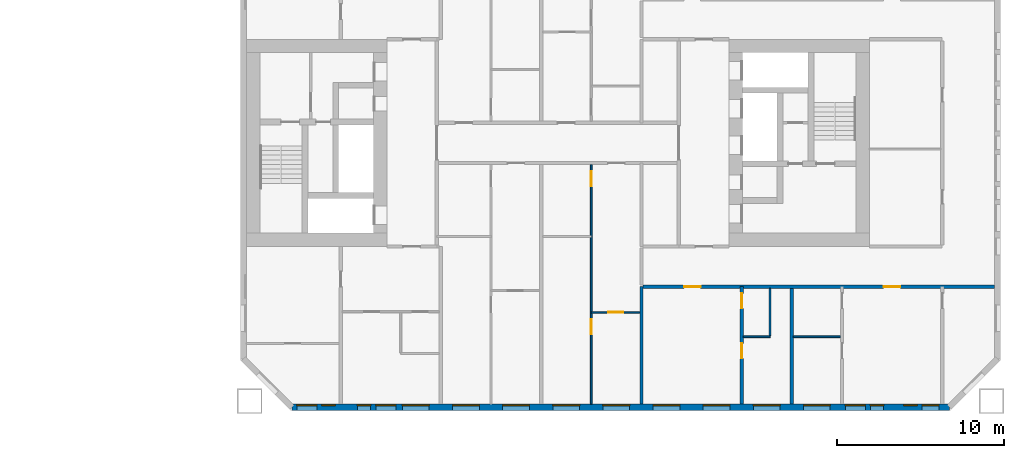
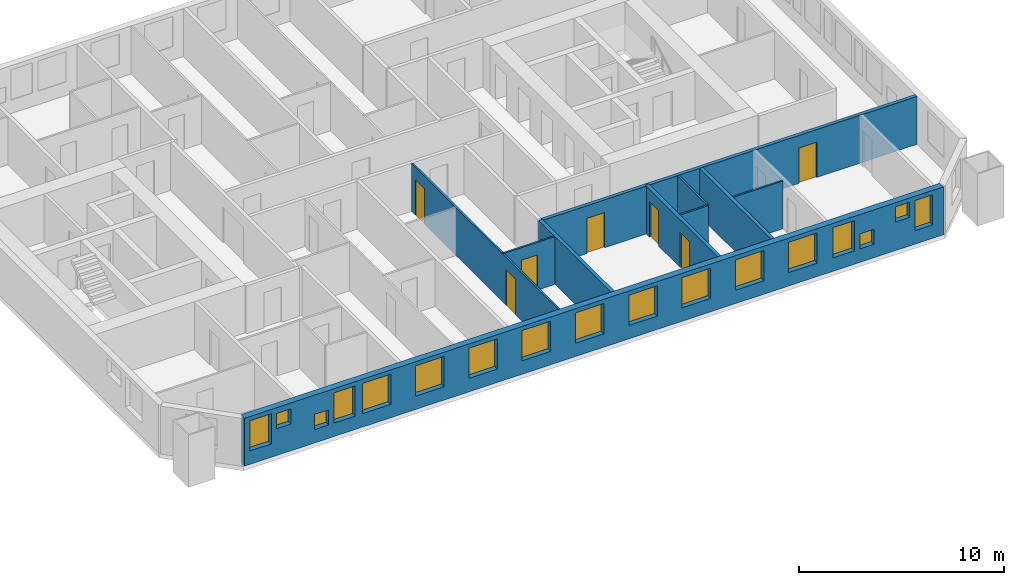
# One storey, part 11 of 17: 17 windows, 10 walls, 7 doors, 24 openings.
"""IFC4 building model written with IfcOpenShell, lengths in metres."""

from ifc_helpers import new_model, si_unit, direction, frame, frame_2d, origin, place, context, subcontext, project, spatial, rectangle, extrude, material, layer, layer_set, type_object, element, fill, save


model = new_model("IFC4")

# Units and contexts
model_context = context("Model", 3, precision=1e-05, world=origin(), true_north=direction((0.0, 1.0)))
body_context = subcontext(model_context, "Body", "Model", "MODEL_VIEW")
ifc_project = project(units=[si_unit("LENGTHUNIT", "METRE"), si_unit("AREAUNIT", "SQUARE_METRE"), si_unit("VOLUMEUNIT", "CUBIC_METRE"), si_unit("PLANEANGLEUNIT", "RADIAN"), si_unit("MASSUNIT", "GRAM", prefix="KILO")], contexts=[model_context])

# Site, building, storey
site_placement = place(None, origin())
site = spatial("IfcSite", under=ifc_project, at=site_placement, CompositionType="ELEMENT")
building_placement = place(site_placement, origin())
building = spatial("IfcBuilding", under=site, at=building_placement, Name="Tuart Gate Housing", CompositionType="ELEMENT")
storey_placement = place(building_placement, frame((0.0, 0.0, 47.39990234375)))
storey = spatial("IfcBuildingStorey", under=building, at=storey_placement, Name="L12", CompositionType="ELEMENT", Elevation=47.39990234375)

# Wall, openings, windows
ifc_material_1 = material(Name="Brick", Category="masonry")
ifc_layer_1 = layer(ifc_material_1, 0.360107421875)
ifc_layer_set_1 = layer_set([ifc_layer_1], Name="Brick pier and spandrel wall 360")
wall_type_1 = type_object("IfcWallType", Name="Brick pier and spandrel wall 360", PredefinedType="STANDARD", material=ifc_layer_set_1)
wall_1_placement = place(storey_placement, frame((134.07470703125, 54.179931640625, 0.0), z_axis=(0.0, 0.0, 1.0), x_axis=(1.0, 0.0, 0.0)))
wall_1 = element("IfcWall", 1, at=wall_1_placement, inside=storey, type_object=wall_type_1, Name="External wall B-S L12", PredefinedType="STANDARD", context=body_context, shape_type="SweptSolid", body=[
    extrude(rectangle(XDim=39.350830078125, YDim=0.360107421875, at=frame_2d((19.67529296875, 0.0))), origin(), (0.0, 0.0, 1.0), 2.85009765625),
])
opening_1_placement = place(wall_1_placement, frame((0.300048828125, 0.0, 0.800048828125)))
opening_1 = element("IfcOpeningElement", 2, at=opening_1_placement, cuts=wall_1, Name="Opening W1B", PredefinedType="OPENING", context=body_context, shape_type="SweptSolid", body=[
    extrude(rectangle(XDim=1.199951171875, YDim=1.800048828125, at=frame_2d((0.60009765625, 0.89990234375))), frame((0.0, 0.18994140625, 0.0), z_axis=(0.0, -1.0, 0.0), x_axis=(1.0, 0.0, 0.0)), (0.0, 0.0, 1.0), 0.380126953125),
])
opening_2_placement = place(wall_1_placement, frame((3.92529296875, 0.0, 0.800048828125)))
opening_2 = element("IfcOpeningElement", 3, at=opening_2_placement, cuts=wall_1, Name="Opening W1V", PredefinedType="OPENING", context=body_context, shape_type="SweptSolid", body=[
    extrude(rectangle(XDim=0.800048828125, YDim=0.89990234375, at=frame_2d((0.39990234375, 0.449951171875))), frame((0.0, 0.18994140625, 0.0), z_axis=(0.0, -1.0, 0.0), x_axis=(1.0, 0.0, 0.0)), (0.0, 0.0, 1.0), 0.380126953125),
])
opening_3_placement = place(wall_1_placement, frame((6.62548828125, 0.0, 0.800048828125)))
opening_3 = element("IfcOpeningElement", 4, at=opening_3_placement, cuts=wall_1, Name="Opening W1", PredefinedType="OPENING", context=body_context, shape_type="SweptSolid", body=[
    extrude(rectangle(XDim=1.60009765625, YDim=1.800048828125, at=frame_2d((0.800048828125, 0.89990234375))), frame((0.0, 0.18994140625, 0.0), z_axis=(0.0, -1.0, 0.0), x_axis=(1.0, 0.0, 0.0)), (0.0, 0.0, 1.0), 0.380126953125),
])
opening_4_placement = place(wall_1_placement, frame((9.62548828125, 0.0, 0.800048828125)))
opening_4 = element("IfcOpeningElement", 5, at=opening_4_placement, cuts=wall_1, Name="Opening W1", PredefinedType="OPENING", context=body_context, shape_type="SweptSolid", body=[
    extrude(rectangle(XDim=1.60009765625, YDim=1.800048828125, at=frame_2d((0.800048828125, 0.89990234375))), frame((0.0, 0.18994140625, 0.0), z_axis=(0.0, -1.0, 0.0), x_axis=(1.0, 0.0, 0.0)), (0.0, 0.0, 1.0), 0.380126953125),
])
opening_5_placement = place(wall_1_placement, frame((12.62548828125, 0.0, 0.800048828125)))
opening_5 = element("IfcOpeningElement", 6, at=opening_5_placement, cuts=wall_1, Name="Opening W1", PredefinedType="OPENING", context=body_context, shape_type="SweptSolid", body=[
    extrude(rectangle(XDim=1.60009765625, YDim=1.800048828125, at=frame_2d((0.800048828125, 0.89990234375))), frame((0.0, 0.18994140625, 0.0), z_axis=(0.0, -1.0, 0.0), x_axis=(1.0, 0.0, 0.0)), (0.0, 0.0, 1.0), 0.380126953125),
])
opening_6_placement = place(wall_1_placement, frame((15.62548828125, 0.0, 0.800048828125)))
opening_6 = element("IfcOpeningElement", 7, at=opening_6_placement, cuts=wall_1, Name="Opening W1", PredefinedType="OPENING", context=body_context, shape_type="SweptSolid", body=[
    extrude(rectangle(XDim=1.60009765625, YDim=1.800048828125, at=frame_2d((0.800048828125, 0.89990234375))), frame((0.0, 0.18994140625, 0.0), z_axis=(0.0, -1.0, 0.0), x_axis=(1.0, 0.0, 0.0)), (0.0, 0.0, 1.0), 0.380126953125),
])
opening_7_placement = place(wall_1_placement, frame((18.62548828125, 0.0, 0.800048828125)))
opening_7 = element("IfcOpeningElement", 8, at=opening_7_placement, cuts=wall_1, Name="Opening W1", PredefinedType="OPENING", context=body_context, shape_type="SweptSolid", body=[
    extrude(rectangle(XDim=1.60009765625, YDim=1.800048828125, at=frame_2d((0.800048828125, 0.89990234375))), frame((0.0, 0.18994140625, 0.0), z_axis=(0.0, -1.0, 0.0), x_axis=(1.0, 0.0, 0.0)), (0.0, 0.0, 1.0), 0.380126953125),
])
opening_8_placement = place(wall_1_placement, frame((21.62548828125, 0.0, 0.800048828125)))
opening_8 = element("IfcOpeningElement", 9, at=opening_8_placement, cuts=wall_1, Name="Opening W1", PredefinedType="OPENING", context=body_context, shape_type="SweptSolid", body=[
    extrude(rectangle(XDim=1.60009765625, YDim=1.800048828125, at=frame_2d((0.800048828125, 0.89990234375))), frame((0.0, 0.18994140625, 0.0), z_axis=(0.0, -1.0, 0.0), x_axis=(1.0, 0.0, 0.0)), (0.0, 0.0, 1.0), 0.380126953125),
])
opening_9_placement = place(wall_1_placement, frame((24.62548828125, 0.0, 0.800048828125)))
opening_9 = element("IfcOpeningElement", 10, at=opening_9_placement, cuts=wall_1, Name="Opening W1", PredefinedType="OPENING", context=body_context, shape_type="SweptSolid", body=[
    extrude(rectangle(XDim=1.60009765625, YDim=1.800048828125, at=frame_2d((0.800048828125, 0.89990234375))), frame((0.0, 0.18994140625, 0.0), z_axis=(0.0, -1.0, 0.0), x_axis=(1.0, 0.0, 0.0)), (0.0, 0.0, 1.0), 0.380126953125),
])
opening_10_placement = place(wall_1_placement, frame((27.62548828125, 0.0, 0.800048828125)))
opening_10 = element("IfcOpeningElement", 11, at=opening_10_placement, cuts=wall_1, Name="Opening W1", PredefinedType="OPENING", context=body_context, shape_type="SweptSolid", body=[
    extrude(rectangle(XDim=1.60009765625, YDim=1.800048828125, at=frame_2d((0.800048828125, 0.89990234375))), frame((0.0, 0.18994140625, 0.0), z_axis=(0.0, -1.0, 0.0), x_axis=(1.0, 0.0, 0.0)), (0.0, 0.0, 1.0), 0.380126953125),
])
opening_11_placement = place(wall_1_placement, frame((30.62548828125, 0.0, 0.800048828125)))
opening_11 = element("IfcOpeningElement", 12, at=opening_11_placement, cuts=wall_1, Name="Opening W1", PredefinedType="OPENING", context=body_context, shape_type="SweptSolid", body=[
    extrude(rectangle(XDim=1.60009765625, YDim=1.800048828125, at=frame_2d((0.800048828125, 0.89990234375))), frame((0.0, 0.18994140625, 0.0), z_axis=(0.0, -1.0, 0.0), x_axis=(1.0, 0.0, 0.0)), (0.0, 0.0, 1.0), 0.380126953125),
])
opening_12_placement = place(wall_1_placement, frame((33.12548828125, 0.0, 0.800048828125)))
opening_12 = element("IfcOpeningElement", 13, at=opening_12_placement, cuts=wall_1, Name="Opening W1B", PredefinedType="OPENING", context=body_context, shape_type="SweptSolid", body=[
    extrude(rectangle(XDim=1.199951171875, YDim=1.800048828125, at=frame_2d((0.60009765625, 0.89990234375))), frame((0.0, 0.18994140625, 0.0), z_axis=(0.0, -1.0, 0.0), x_axis=(1.0, 0.0, 0.0)), (0.0, 0.0, 1.0), 0.380126953125),
])
opening_13_placement = place(wall_1_placement, frame((34.62548828125, 0.0, 0.800048828125)))
opening_13 = element("IfcOpeningElement", 14, at=opening_13_placement, cuts=wall_1, Name="Opening W1V", PredefinedType="OPENING", context=body_context, shape_type="SweptSolid", body=[
    extrude(rectangle(XDim=0.800048828125, YDim=0.89990234375, at=frame_2d((0.39990234375, 0.449951171875))), frame((0.0, 0.18994140625, 0.0), z_axis=(0.0, -1.0, 0.0), x_axis=(1.0, 0.0, 0.0)), (0.0, 0.0, 1.0), 0.380126953125),
])
opening_14_placement = place(wall_1_placement, frame((1.800048828125, 0.0, 1.60009765625)))
opening_14 = element("IfcOpeningElement", 15, at=opening_14_placement, cuts=wall_1, Name="Opening W1V", PredefinedType="OPENING", context=body_context, shape_type="SweptSolid", body=[
    extrude(rectangle(XDim=0.800048828125, YDim=0.89990234375, at=frame_2d((0.39990234375, 0.449951171875))), frame((0.0, 0.18994140625, 0.0), z_axis=(0.0, -1.0, 0.0), x_axis=(1.0, 0.0, 0.0)), (0.0, 0.0, 1.0), 0.380126953125),
])
opening_15_placement = place(wall_1_placement, frame((5.025390625, 0.0, 0.800048828125)))
opening_15 = element("IfcOpeningElement", 16, at=opening_15_placement, cuts=wall_1, Name="Opening W1B", PredefinedType="OPENING", context=body_context, shape_type="SweptSolid", body=[
    extrude(rectangle(XDim=1.199951171875, YDim=1.800048828125, at=frame_2d((0.60009765625, 0.89990234375))), frame((0.0, 0.18994140625, 0.0), z_axis=(0.0, -1.0, 0.0), x_axis=(1.0, 0.0, 0.0)), (0.0, 0.0, 1.0), 0.380126953125),
])
opening_16_placement = place(wall_1_placement, frame((36.62548828125, 0.0, 1.699951171875)))
opening_16 = element("IfcOpeningElement", 17, at=opening_16_placement, cuts=wall_1, Name="Opening W1V", PredefinedType="OPENING", context=body_context, shape_type="SweptSolid", body=[
    extrude(rectangle(XDim=0.800048828125, YDim=0.89990234375, at=frame_2d((0.39990234375, 0.449951171875))), frame((0.0, 0.18994140625, 0.0), z_axis=(0.0, -1.0, 0.0), x_axis=(1.0, 0.0, 0.0)), (0.0, 0.0, 1.0), 0.380126953125),
])
opening_17_placement = place(wall_1_placement, frame((37.725341796875, 0.0, 0.800048828125)))
opening_17 = element("IfcOpeningElement", 18, at=opening_17_placement, cuts=wall_1, Name="Opening W1C", PredefinedType="OPENING", context=body_context, shape_type="SweptSolid", body=[
    extrude(rectangle(XDim=1.0, YDim=1.800048828125, at=frame_2d((0.5, 0.89990234375))), frame((0.0, 0.18994140625, 0.0), z_axis=(0.0, -1.0, 0.0), x_axis=(1.0, 0.0, 0.0)), (0.0, 0.0, 1.0), 0.380126953125),
])
ifc_material_2 = material(Name="Aluminium frame with clear glass", Category="aluminium")
window_type_1 = type_object("IfcWindowType", Name="Punched window 1000 x 1800", PartitioningType="SINGLE_PANEL", PredefinedType="WINDOW", material=ifc_material_2)
window_1_placement = place(opening_17_placement, origin())
window_1 = element("IfcWindow", 19, at=window_1_placement, inside=storey, type_object=window_type_1, Name="Window W1C", OverallHeight=1.800048828125, OverallWidth=1.0, PartitioningType="SINGLE_PANEL", PredefinedType="WINDOW", context=body_context, shape_type="SweptSolid", body=[
    extrude(rectangle(XDim=1.0, YDim=1.800048828125, at=frame_2d((0.5, 0.89990234375))), frame((0.0, 0.150146484375, 0.0), z_axis=(0.0, -1.0, 0.0), x_axis=(1.0, 0.0, 0.0)), (0.0, 0.0, 1.0), 0.06005859375),
])
fill(opening_17, window_1)
ifc_material_3 = material(Name="Aluminium frame with clear glass", Category="aluminium")
window_type_2 = type_object("IfcWindowType", Name="Punched window 1200 x 1800", PartitioningType="SINGLE_PANEL", PredefinedType="WINDOW", material=ifc_material_3)
window_2_placement = place(opening_1_placement, origin())
window_2 = element("IfcWindow", 20, at=window_2_placement, inside=storey, type_object=window_type_2, Name="Window W1B", OverallHeight=1.800048828125, OverallWidth=1.199951171875, PartitioningType="SINGLE_PANEL", PredefinedType="WINDOW", context=body_context, shape_type="SweptSolid", body=[
    extrude(rectangle(XDim=1.199951171875, YDim=1.800048828125, at=frame_2d((0.60009765625, 0.89990234375))), frame((0.0, 0.150146484375, 0.0), z_axis=(0.0, -1.0, 0.0), x_axis=(1.0, 0.0, 0.0)), (0.0, 0.0, 1.0), 0.06005859375),
])
fill(opening_1, window_2)
window_3_placement = place(opening_12_placement, origin())
window_3 = element("IfcWindow", 21, at=window_3_placement, inside=storey, type_object=window_type_2, Name="Window W1B", OverallHeight=1.800048828125, OverallWidth=1.199951171875, PartitioningType="SINGLE_PANEL", PredefinedType="WINDOW", context=body_context, shape_type="SweptSolid", body=[
    extrude(rectangle(XDim=1.199951171875, YDim=1.800048828125, at=frame_2d((0.60009765625, 0.89990234375))), frame((0.0, 0.150146484375, 0.0), z_axis=(0.0, -1.0, 0.0), x_axis=(1.0, 0.0, 0.0)), (0.0, 0.0, 1.0), 0.06005859375),
])
fill(opening_12, window_3)
window_4_placement = place(opening_15_placement, origin())
window_4 = element("IfcWindow", 22, at=window_4_placement, inside=storey, type_object=window_type_2, Name="Window W1B", OverallHeight=1.800048828125, OverallWidth=1.199951171875, PartitioningType="SINGLE_PANEL", PredefinedType="WINDOW", context=body_context, shape_type="SweptSolid", body=[
    extrude(rectangle(XDim=1.199951171875, YDim=1.800048828125, at=frame_2d((0.60009765625, 0.89990234375))), frame((0.0, 0.150146484375, 0.0), z_axis=(0.0, -1.0, 0.0), x_axis=(1.0, 0.0, 0.0)), (0.0, 0.0, 1.0), 0.06005859375),
])
fill(opening_15, window_4)
ifc_material_4 = material(Name="Aluminium frame with clear glass", Category="aluminium")
window_type_3 = type_object("IfcWindowType", Name="Punched window 1600 x 1800", PartitioningType="SINGLE_PANEL", PredefinedType="WINDOW", material=ifc_material_4)
window_5_placement = place(opening_3_placement, origin())
window_5 = element("IfcWindow", 23, at=window_5_placement, inside=storey, type_object=window_type_3, Name="Window W1", OverallHeight=1.800048828125, OverallWidth=1.60009765625, PartitioningType="SINGLE_PANEL", PredefinedType="WINDOW", context=body_context, shape_type="SweptSolid", body=[
    extrude(rectangle(XDim=1.60009765625, YDim=1.800048828125, at=frame_2d((0.800048828125, 0.89990234375))), frame((0.0, 0.150146484375, 0.0), z_axis=(0.0, -1.0, 0.0), x_axis=(1.0, 0.0, 0.0)), (0.0, 0.0, 1.0), 0.06005859375),
])
fill(opening_3, window_5)
window_6_placement = place(opening_4_placement, origin())
window_6 = element("IfcWindow", 24, at=window_6_placement, inside=storey, type_object=window_type_3, Name="Window W1", OverallHeight=1.800048828125, OverallWidth=1.60009765625, PartitioningType="SINGLE_PANEL", PredefinedType="WINDOW", context=body_context, shape_type="SweptSolid", body=[
    extrude(rectangle(XDim=1.60009765625, YDim=1.800048828125, at=frame_2d((0.800048828125, 0.89990234375))), frame((0.0, 0.150146484375, 0.0), z_axis=(0.0, -1.0, 0.0), x_axis=(1.0, 0.0, 0.0)), (0.0, 0.0, 1.0), 0.06005859375),
])
fill(opening_4, window_6)
window_7_placement = place(opening_5_placement, origin())
window_7 = element("IfcWindow", 25, at=window_7_placement, inside=storey, type_object=window_type_3, Name="Window W1", OverallHeight=1.800048828125, OverallWidth=1.60009765625, PartitioningType="SINGLE_PANEL", PredefinedType="WINDOW", context=body_context, shape_type="SweptSolid", body=[
    extrude(rectangle(XDim=1.60009765625, YDim=1.800048828125, at=frame_2d((0.800048828125, 0.89990234375))), frame((0.0, 0.150146484375, 0.0), z_axis=(0.0, -1.0, 0.0), x_axis=(1.0, 0.0, 0.0)), (0.0, 0.0, 1.0), 0.06005859375),
])
fill(opening_5, window_7)
window_8_placement = place(opening_6_placement, origin())
window_8 = element("IfcWindow", 26, at=window_8_placement, inside=storey, type_object=window_type_3, Name="Window W1", OverallHeight=1.800048828125, OverallWidth=1.60009765625, PartitioningType="SINGLE_PANEL", PredefinedType="WINDOW", context=body_context, shape_type="SweptSolid", body=[
    extrude(rectangle(XDim=1.60009765625, YDim=1.800048828125, at=frame_2d((0.800048828125, 0.89990234375))), frame((0.0, 0.150146484375, 0.0), z_axis=(0.0, -1.0, 0.0), x_axis=(1.0, 0.0, 0.0)), (0.0, 0.0, 1.0), 0.06005859375),
])
fill(opening_6, window_8)
window_9_placement = place(opening_7_placement, origin())
window_9 = element("IfcWindow", 27, at=window_9_placement, inside=storey, type_object=window_type_3, Name="Window W1", OverallHeight=1.800048828125, OverallWidth=1.60009765625, PartitioningType="SINGLE_PANEL", PredefinedType="WINDOW", context=body_context, shape_type="SweptSolid", body=[
    extrude(rectangle(XDim=1.60009765625, YDim=1.800048828125, at=frame_2d((0.800048828125, 0.89990234375))), frame((0.0, 0.150146484375, 0.0), z_axis=(0.0, -1.0, 0.0), x_axis=(1.0, 0.0, 0.0)), (0.0, 0.0, 1.0), 0.06005859375),
])
fill(opening_7, window_9)
window_10_placement = place(opening_8_placement, origin())
window_10 = element("IfcWindow", 28, at=window_10_placement, inside=storey, type_object=window_type_3, Name="Window W1", OverallHeight=1.800048828125, OverallWidth=1.60009765625, PartitioningType="SINGLE_PANEL", PredefinedType="WINDOW", context=body_context, shape_type="SweptSolid", body=[
    extrude(rectangle(XDim=1.60009765625, YDim=1.800048828125, at=frame_2d((0.800048828125, 0.89990234375))), frame((0.0, 0.150146484375, 0.0), z_axis=(0.0, -1.0, 0.0), x_axis=(1.0, 0.0, 0.0)), (0.0, 0.0, 1.0), 0.06005859375),
])
fill(opening_8, window_10)
window_11_placement = place(opening_9_placement, origin())
window_11 = element("IfcWindow", 29, at=window_11_placement, inside=storey, type_object=window_type_3, Name="Window W1", OverallHeight=1.800048828125, OverallWidth=1.60009765625, PartitioningType="SINGLE_PANEL", PredefinedType="WINDOW", context=body_context, shape_type="SweptSolid", body=[
    extrude(rectangle(XDim=1.60009765625, YDim=1.800048828125, at=frame_2d((0.800048828125, 0.89990234375))), frame((0.0, 0.150146484375, 0.0), z_axis=(0.0, -1.0, 0.0), x_axis=(1.0, 0.0, 0.0)), (0.0, 0.0, 1.0), 0.06005859375),
])
fill(opening_9, window_11)
window_12_placement = place(opening_10_placement, origin())
window_12 = element("IfcWindow", 30, at=window_12_placement, inside=storey, type_object=window_type_3, Name="Window W1", OverallHeight=1.800048828125, OverallWidth=1.60009765625, PartitioningType="SINGLE_PANEL", PredefinedType="WINDOW", context=body_context, shape_type="SweptSolid", body=[
    extrude(rectangle(XDim=1.60009765625, YDim=1.800048828125, at=frame_2d((0.800048828125, 0.89990234375))), frame((0.0, 0.150146484375, 0.0), z_axis=(0.0, -1.0, 0.0), x_axis=(1.0, 0.0, 0.0)), (0.0, 0.0, 1.0), 0.06005859375),
])
fill(opening_10, window_12)
window_13_placement = place(opening_11_placement, origin())
window_13 = element("IfcWindow", 31, at=window_13_placement, inside=storey, type_object=window_type_3, Name="Window W1", OverallHeight=1.800048828125, OverallWidth=1.60009765625, PartitioningType="SINGLE_PANEL", PredefinedType="WINDOW", context=body_context, shape_type="SweptSolid", body=[
    extrude(rectangle(XDim=1.60009765625, YDim=1.800048828125, at=frame_2d((0.800048828125, 0.89990234375))), frame((0.0, 0.150146484375, 0.0), z_axis=(0.0, -1.0, 0.0), x_axis=(1.0, 0.0, 0.0)), (0.0, 0.0, 1.0), 0.06005859375),
])
fill(opening_11, window_13)
ifc_material_5 = material(Name="Aluminium frame with clear glass", Category="aluminium")
window_type_4 = type_object("IfcWindowType", Name="Punched window 800 x 900", PartitioningType="SINGLE_PANEL", PredefinedType="WINDOW", material=ifc_material_5)
window_14_placement = place(opening_2_placement, origin())
window_14 = element("IfcWindow", 32, at=window_14_placement, inside=storey, type_object=window_type_4, Name="Window W1V", OverallHeight=0.89990234375, OverallWidth=0.800048828125, PartitioningType="SINGLE_PANEL", PredefinedType="WINDOW", context=body_context, shape_type="SweptSolid", body=[
    extrude(rectangle(XDim=0.800048828125, YDim=0.89990234375, at=frame_2d((0.39990234375, 0.449951171875))), frame((0.0, 0.150146484375, 0.0), z_axis=(0.0, -1.0, 0.0), x_axis=(1.0, 0.0, 0.0)), (0.0, 0.0, 1.0), 0.06005859375),
])
fill(opening_2, window_14)
window_15_placement = place(opening_13_placement, origin())
window_15 = element("IfcWindow", 33, at=window_15_placement, inside=storey, type_object=window_type_4, Name="Window W1V", OverallHeight=0.89990234375, OverallWidth=0.800048828125, PartitioningType="SINGLE_PANEL", PredefinedType="WINDOW", context=body_context, shape_type="SweptSolid", body=[
    extrude(rectangle(XDim=0.800048828125, YDim=0.89990234375, at=frame_2d((0.39990234375, 0.449951171875))), frame((0.0, 0.150146484375, 0.0), z_axis=(0.0, -1.0, 0.0), x_axis=(1.0, 0.0, 0.0)), (0.0, 0.0, 1.0), 0.06005859375),
])
fill(opening_13, window_15)
window_16_placement = place(opening_14_placement, origin())
window_16 = element("IfcWindow", 34, at=window_16_placement, inside=storey, type_object=window_type_4, Name="Window W1V", OverallHeight=0.89990234375, OverallWidth=0.800048828125, PartitioningType="SINGLE_PANEL", PredefinedType="WINDOW", context=body_context, shape_type="SweptSolid", body=[
    extrude(rectangle(XDim=0.800048828125, YDim=0.89990234375, at=frame_2d((0.39990234375, 0.449951171875))), frame((0.0, 0.150146484375, 0.0), z_axis=(0.0, -1.0, 0.0), x_axis=(1.0, 0.0, 0.0)), (0.0, 0.0, 1.0), 0.06005859375),
])
fill(opening_14, window_16)
window_17_placement = place(opening_16_placement, origin())
window_17 = element("IfcWindow", 35, at=window_17_placement, inside=storey, type_object=window_type_4, Name="Window W1V", OverallHeight=0.89990234375, OverallWidth=0.800048828125, PartitioningType="SINGLE_PANEL", PredefinedType="WINDOW", context=body_context, shape_type="SweptSolid", body=[
    extrude(rectangle(XDim=0.800048828125, YDim=0.89990234375, at=frame_2d((0.39990234375, 0.449951171875))), frame((0.0, 0.150146484375, 0.0), z_axis=(0.0, -1.0, 0.0), x_axis=(1.0, 0.0, 0.0)), (0.0, 0.0, 1.0), 0.06005859375),
])
fill(opening_16, window_17)

# Wall, openings, doors
ifc_material_6 = material(Name="Concrete masonry 15 MPa", Category="masonry")
ifc_layer_2 = layer(ifc_material_6, 0.199951171875)
ifc_layer_set_2 = layer_set([ifc_layer_2], Name="Corridor wall masonry 200")
wall_type_2 = type_object("IfcWallType", Name="Corridor wall masonry 200", PredefinedType="PARTITIONING", material=ifc_layer_set_2)
wall_2_placement = place(storey_placement, frame((155.10009765625, 61.39990234375, 0.0), z_axis=(0.0, 0.0, 1.0), x_axis=(1.0, 0.0, 0.0)))
wall_2 = element("IfcWall", 36, at=wall_2_placement, inside=storey, type_object=wall_type_2, Name="Corridor wall masonry 200", PredefinedType="PARTITIONING", context=body_context, shape_type="SweptSolid", body=[
    extrude(rectangle(XDim=21.039794921875, YDim=0.199951171875, at=frame_2d((10.52001953125, 0.0))), origin(), (0.0, 0.0, 1.0), 2.85009765625),
])
opening_18_placement = place(wall_2_placement, frame((2.449951171875, 0.0, 0.0)))
opening_18 = element("IfcOpeningElement", 37, at=opening_18_placement, cuts=wall_2, Name="Opening D700", PredefinedType="OPENING", context=body_context, shape_type="SweptSolid", body=[
    extrude(rectangle(XDim=1.0, YDim=2.10009765625, at=frame_2d((0.5, 1.050048828125))), frame((0.0, 0.10986328125, 0.0), z_axis=(0.0, -1.0, 0.0), x_axis=(1.0, 0.0, 0.0)), (0.0, 0.0, 1.0), 0.219970703125),
])
opening_19_placement = place(wall_2_placement, frame((14.39990234375, 0.0, 0.0)))
opening_19 = element("IfcOpeningElement", 38, at=opening_19_placement, cuts=wall_2, Name="Opening D701", PredefinedType="OPENING", context=body_context, shape_type="SweptSolid", body=[
    extrude(rectangle(XDim=1.0, YDim=2.10009765625, at=frame_2d((0.5, 1.050048828125))), frame((0.0, 0.10986328125, 0.0), z_axis=(0.0, -1.0, 0.0), x_axis=(1.0, 0.0, 0.0)), (0.0, 0.0, 1.0), 0.219970703125),
])
ifc_material_7 = material(Name="Timber door leaf in steel frame", Category="steel")
door_type_1 = type_object("IfcDoorType", Name="Flat entrance door 1000", OperationType="SINGLE_SWING_LEFT", PredefinedType="DOOR", material=ifc_material_7)
door_1_placement = place(opening_18_placement, frame((1.0, 0.0, 0.0), z_axis=(0.0, 0.0, 1.0), x_axis=(-1.0, 0.0, 0.0)))
door_1 = element("IfcDoor", 39, at=door_1_placement, inside=storey, type_object=door_type_1, Name="Flat entrance door", OperationType="SINGLE_SWING_LEFT", OverallHeight=2.10009765625, OverallWidth=1.0, PredefinedType="DOOR", context=body_context, shape_type="SweptSolid", body=[
    extrude(rectangle(XDim=1.0, YDim=2.10009765625, at=frame_2d((0.5, 1.050048828125))), frame((0.0, 0.025146484375, 0.0), z_axis=(0.0, -1.0, 0.0), x_axis=(1.0, 0.0, 0.0)), (0.0, 0.0, 1.0), 0.050048828125),
])
fill(opening_18, door_1)
ifc_material_8 = material(Name="Timber door leaf in steel frame", Category="steel")
door_type_2 = type_object("IfcDoorType", Name="Flat entrance door 1000 RH", OperationType="SINGLE_SWING_RIGHT", PredefinedType="DOOR", material=ifc_material_8)
door_2_placement = place(opening_19_placement, frame((1.0, 0.0, 0.0), z_axis=(0.0, 0.0, 1.0), x_axis=(-1.0, 0.0, 0.0)))
door_2 = element("IfcDoor", 40, at=door_2_placement, inside=storey, type_object=door_type_2, Name="Flat entrance door", OperationType="SINGLE_SWING_RIGHT", OverallHeight=2.10009765625, OverallWidth=1.0, PredefinedType="DOOR", context=body_context, shape_type="SweptSolid", body=[
    extrude(rectangle(XDim=1.0, YDim=2.10009765625, at=frame_2d((0.5, 1.050048828125))), frame((0.0, 0.025146484375, 0.0), z_axis=(0.0, -1.0, 0.0), x_axis=(1.0, 0.0, 0.0)), (0.0, 0.0, 1.0), 0.050048828125),
])
fill(opening_19, door_2)

# Walls
ifc_material_9 = material(Name="Gypsum board on steel studs", Category="steel")
ifc_layer_3 = layer(ifc_material_9, 0.10009765625)
ifc_layer_set_3 = layer_set([ifc_layer_3], Name="Partition 100")
wall_type_3 = type_object("IfcWallType", Name="Partition 100", PredefinedType="PARTITIONING", material=ifc_layer_set_3)
wall_3_placement = place(storey_placement, frame((161.10009765625, 58.39990234375, 0.0), z_axis=(0.0, 0.0, 1.0), x_axis=(1.0, 0.0, 0.0)))
element("IfcWall", 41, at=wall_3_placement, inside=storey, type_object=wall_type_3, Name="Partition 100", PredefinedType="PARTITIONING", context=body_context, shape_type="SweptSolid", body=[
    extrude(rectangle(XDim=1.599853515625, YDim=0.10009765625, at=frame_2d((0.7998046875, 0.0))), origin(), (0.0, 0.0, 1.0), 2.85009765625),
])
wall_4_placement = place(storey_placement, frame((164.10009765625, 58.39990234375, 0.0), z_axis=(0.0, 0.0, 1.0), x_axis=(1.0, 0.0, 0.0)))
element("IfcWall", 42, at=wall_4_placement, inside=storey, type_object=wall_type_3, Name="Partition 100", PredefinedType="PARTITIONING", context=body_context, shape_type="SweptSolid", body=[
    extrude(rectangle(XDim=2.7998046875, YDim=0.10009765625, at=frame_2d((1.39990234375, 0.0))), origin(), (0.0, 0.0, 1.0), 2.85009765625),
])

# Wall, opening, door
wall_5_placement = place(storey_placement, frame((152.0, 59.860107421875, 0.0), z_axis=(0.0, 0.0, 1.0), x_axis=(1.0, 0.0, 0.0)))
wall_5 = element("IfcWall", 43, at=wall_5_placement, inside=storey, type_object=wall_type_3, Name="Partition 100", PredefinedType="PARTITIONING", context=body_context, shape_type="SweptSolid", body=[
    extrude(rectangle(XDim=2.89990234375, YDim=0.10009765625, at=frame_2d((1.449951171875, 0.0))), origin(), (0.0, 0.0, 1.0), 2.85009765625),
])
opening_20_placement = place(wall_5_placement, frame((1.0, 0.0, 0.0)))
opening_20 = element("IfcOpeningElement", 44, at=opening_20_placement, cuts=wall_5, Name="Opening D705", PredefinedType="OPENING", context=body_context, shape_type="SweptSolid", body=[
    extrude(rectangle(XDim=0.89990234375, YDim=2.10009765625, at=frame_2d((0.449951171875, 1.050048828125))), frame((0.0, 0.06005859375, 0.0), z_axis=(0.0, -1.0, 0.0), x_axis=(1.0, 0.0, 0.0)), (0.0, 0.0, 1.0), 0.1201171875),
])
ifc_material_10 = material(Name="Timber door leaf in steel frame", Category="steel")
door_type_3 = type_object("IfcDoorType", Name="Internal door 900", OperationType="SINGLE_SWING_LEFT", PredefinedType="DOOR", material=ifc_material_10)
door_3_placement = place(opening_20_placement, origin())
door_3 = element("IfcDoor", 45, at=door_3_placement, inside=storey, type_object=door_type_3, Name="Internal door", OperationType="SINGLE_SWING_LEFT", OverallHeight=2.10009765625, OverallWidth=0.89990234375, PredefinedType="DOOR", context=body_context, shape_type="SweptSolid", body=[
    extrude(rectangle(XDim=0.89990234375, YDim=2.10009765625, at=frame_2d((0.449951171875, 1.050048828125))), frame((0.0, 0.02490234375, 0.0), z_axis=(0.0, -1.0, 0.0), x_axis=(1.0, 0.0, 0.0)), (0.0, 0.0, 1.0), 0.050048828125),
])
fill(opening_20, door_3)

# Wall, openings, doors
wall_6_placement = place(storey_placement, frame((152.0, 54.360107421875, 0.0), z_axis=(0.0, 0.0, 1.0), x_axis=(0.0, 1.0, 0.0)))
wall_6 = element("IfcWall", 46, at=wall_6_placement, inside=storey, type_object=wall_type_3, Name="Partition 100", PredefinedType="PARTITIONING", context=body_context, shape_type="SweptSolid", body=[
    extrude(rectangle(XDim=14.33984375, YDim=0.10009765625, at=frame_2d((7.169921875, 0.0))), origin(), (0.0, 0.0, 1.0), 2.85009765625),
])
opening_21_placement = place(wall_6_placement, frame((4.199951171875, 0.0, 0.0)))
opening_21 = element("IfcOpeningElement", 47, at=opening_21_placement, cuts=wall_6, Name="Opening D699", PredefinedType="OPENING", context=body_context, shape_type="SweptSolid", body=[
    extrude(rectangle(XDim=0.89990234375, YDim=2.10009765625, at=frame_2d((0.449951171875, 1.050048828125))), frame((0.0, 0.06005859375, 0.0), z_axis=(0.0, -1.0, 0.0), x_axis=(1.0, 0.0, 0.0)), (0.0, 0.0, 1.0), 0.1201171875),
])
opening_22_placement = place(wall_6_placement, frame((13.0400390625, 0.0, 0.0)))
opening_22 = element("IfcOpeningElement", 48, at=opening_22_placement, cuts=wall_6, Name="Opening D698", PredefinedType="OPENING", context=body_context, shape_type="SweptSolid", body=[
    extrude(rectangle(XDim=0.89990234375, YDim=2.10009765625, at=frame_2d((0.449951171875, 1.050048828125))), frame((0.0, 0.06005859375, 0.0), z_axis=(0.0, -1.0, 0.0), x_axis=(1.0, 0.0, 0.0)), (0.0, 0.0, 1.0), 0.1201171875),
])
ifc_material_11 = material(Name="Timber door leaf in steel frame", Category="steel")
door_type_4 = type_object("IfcDoorType", Name="Bathroom door 900 RH", OperationType="SINGLE_SWING_RIGHT", PredefinedType="DOOR", material=ifc_material_11)
door_4_placement = place(opening_22_placement, origin())
door_4 = element("IfcDoor", 49, at=door_4_placement, inside=storey, type_object=door_type_4, Name="Bathroom door", OperationType="SINGLE_SWING_RIGHT", OverallHeight=2.10009765625, OverallWidth=0.89990234375, PredefinedType="DOOR", context=body_context, shape_type="SweptSolid", body=[
    extrude(rectangle(XDim=0.89990234375, YDim=2.10009765625, at=frame_2d((0.449951171875, 1.050048828125))), frame((0.0, 0.02490234375, 0.0), z_axis=(0.0, -1.0, 0.0), x_axis=(1.0, 0.0, 0.0)), (0.0, 0.0, 1.0), 0.050048828125),
])
fill(opening_22, door_4)
door_5_placement = place(opening_21_placement, origin())
door_5 = element("IfcDoor", 50, at=door_5_placement, inside=storey, type_object=door_type_3, Name="Internal door", OperationType="SINGLE_SWING_LEFT", OverallHeight=2.10009765625, OverallWidth=0.89990234375, PredefinedType="DOOR", context=body_context, shape_type="SweptSolid", body=[
    extrude(rectangle(XDim=0.89990234375, YDim=2.10009765625, at=frame_2d((0.449951171875, 1.050048828125))), frame((0.0, 0.02490234375, 0.0), z_axis=(0.0, -1.0, 0.0), x_axis=(1.0, 0.0, 0.0)), (0.0, 0.0, 1.0), 0.050048828125),
])
fill(opening_21, door_5)

# Walls
wall_7_placement = place(storey_placement, frame((162.699951171875, 58.449951171875, 0.0), z_axis=(0.0, 0.0, 1.0), x_axis=(0.0, 1.0, 0.0)))
element("IfcWall", 51, at=wall_7_placement, inside=storey, type_object=wall_type_3, Name="Partition 100", PredefinedType="PARTITIONING", context=body_context, shape_type="SweptSolid", body=[
    extrude(rectangle(XDim=2.85009765625, YDim=0.10009765625, at=frame_2d((1.425048828125, 0.0))), origin(), (0.0, 0.0, 1.0), 2.85009765625),
])
ifc_material_12 = material(Name="Concrete C40", Category="concrete")
ifc_layer_4 = layer(ifc_material_12, 0.199951171875)
ifc_layer_set_4 = layer_set([ifc_layer_4], Name="Party wall concrete C40 200")
wall_type_4 = type_object("IfcWallType", Name="Party wall concrete C40 200", PredefinedType="SOLIDWALL", material=ifc_layer_set_4)
wall_8_placement = place(storey_placement, frame((155.0, 54.360107421875, 0.0), z_axis=(0.0, 0.0, 1.0), x_axis=(0.0, 1.0, 0.0)))
element("IfcWall", 52, at=wall_8_placement, inside=storey, type_object=wall_type_4, Name="Party wall concrete C40 200", PredefinedType="SOLIDWALL", context=body_context, shape_type="SweptSolid", body=[
    extrude(rectangle(XDim=7.039794921875, YDim=0.199951171875, at=frame_2d((3.52001953125, 0.0))), origin(), (0.0, 0.0, 1.0), 2.85009765625),
])

# Wall, openings, doors
wall_9_placement = place(storey_placement, frame((161.0, 54.360107421875, 0.0), z_axis=(0.0, 0.0, 1.0), x_axis=(0.0, 1.0, 0.0)))
wall_9 = element("IfcWall", 53, at=wall_9_placement, inside=storey, type_object=wall_type_4, Name="Party wall concrete C40 200", PredefinedType="SOLIDWALL", context=body_context, shape_type="SweptSolid", body=[
    extrude(rectangle(XDim=7.039794921875, YDim=0.199951171875, at=frame_2d((3.52001953125, 0.0))), origin(), (0.0, 0.0, 1.0), 2.85009765625),
])
opening_23_placement = place(wall_9_placement, frame((2.739990234375, 0.0, 0.0)))
opening_23 = element("IfcOpeningElement", 54, at=opening_23_placement, cuts=wall_9, Name="Opening D709", PredefinedType="OPENING", context=body_context, shape_type="SweptSolid", body=[
    extrude(rectangle(XDim=0.89990234375, YDim=2.10009765625, at=frame_2d((0.449951171875, 1.050048828125))), frame((0.0, 0.10986328125, 0.0), z_axis=(0.0, -1.0, 0.0), x_axis=(1.0, 0.0, 0.0)), (0.0, 0.0, 1.0), 0.219970703125),
])
opening_24_placement = place(wall_9_placement, frame((5.739990234375, 0.0, 0.0)))
opening_24 = element("IfcOpeningElement", 55, at=opening_24_placement, cuts=wall_9, Name="Opening D708", PredefinedType="OPENING", context=body_context, shape_type="SweptSolid", body=[
    extrude(rectangle(XDim=0.89990234375, YDim=2.10009765625, at=frame_2d((0.449951171875, 1.050048828125))), frame((0.0, 0.10986328125, 0.0), z_axis=(0.0, -1.0, 0.0), x_axis=(1.0, 0.0, 0.0)), (0.0, 0.0, 1.0), 0.219970703125),
])
ifc_material_13 = material(Name="Timber door leaf in steel frame", Category="steel")
door_type_5 = type_object("IfcDoorType", Name="Bathroom door 900", OperationType="SINGLE_SWING_LEFT", PredefinedType="DOOR", material=ifc_material_13)
door_6_placement = place(opening_24_placement, frame((0.89990234375, 0.0, 0.0), z_axis=(0.0, 0.0, 1.0), x_axis=(-1.0, 0.0, 0.0)))
door_6 = element("IfcDoor", 56, at=door_6_placement, inside=storey, type_object=door_type_5, Name="Bathroom door", OperationType="SINGLE_SWING_LEFT", OverallHeight=2.10009765625, OverallWidth=0.89990234375, PredefinedType="DOOR", context=body_context, shape_type="SweptSolid", body=[
    extrude(rectangle(XDim=0.89990234375, YDim=2.10009765625, at=frame_2d((0.449951171875, 1.050048828125))), frame((0.0, 0.025146484375, 0.0), z_axis=(0.0, -1.0, 0.0), x_axis=(1.0, 0.0, 0.0)), (0.0, 0.0, 1.0), 0.050048828125),
])
fill(opening_24, door_6)
door_7_placement = place(opening_23_placement, frame((0.89990234375, 0.0, 0.0), z_axis=(0.0, 0.0, 1.0), x_axis=(-1.0, 0.0, 0.0)))
door_7 = element("IfcDoor", 57, at=door_7_placement, inside=storey, type_object=door_type_3, Name="Internal door", OperationType="SINGLE_SWING_LEFT", OverallHeight=2.10009765625, OverallWidth=0.89990234375, PredefinedType="DOOR", context=body_context, shape_type="SweptSolid", body=[
    extrude(rectangle(XDim=0.89990234375, YDim=2.10009765625, at=frame_2d((0.449951171875, 1.050048828125))), frame((0.0, 0.025146484375, 0.0), z_axis=(0.0, -1.0, 0.0), x_axis=(1.0, 0.0, 0.0)), (0.0, 0.0, 1.0), 0.050048828125),
])
fill(opening_23, door_7)

# Wall
ifc_material_14 = material(Name="Concrete masonry 15 MPa", Category="masonry")
ifc_layer_5 = layer(ifc_material_14, 0.199951171875)
ifc_layer_set_5 = layer_set([ifc_layer_5], Name="Party wall masonry 200")
wall_type_5 = type_object("IfcWallType", Name="Party wall masonry 200", PredefinedType="PARTITIONING", material=ifc_layer_set_5)
wall_10_placement = place(storey_placement, frame((164.0, 54.360107421875, 0.0), z_axis=(0.0, 0.0, 1.0), x_axis=(0.0, 1.0, 0.0)))
element("IfcWall", 58, at=wall_10_placement, inside=storey, type_object=wall_type_5, Name="Party wall masonry 200", PredefinedType="PARTITIONING", context=body_context, shape_type="SweptSolid", body=[
    extrude(rectangle(XDim=6.93994140625, YDim=0.199951171875, at=frame_2d((3.469970703125, 0.0))), origin(), (0.0, 0.0, 1.0), 2.85009765625),
])

save(model, "model.ifc")
